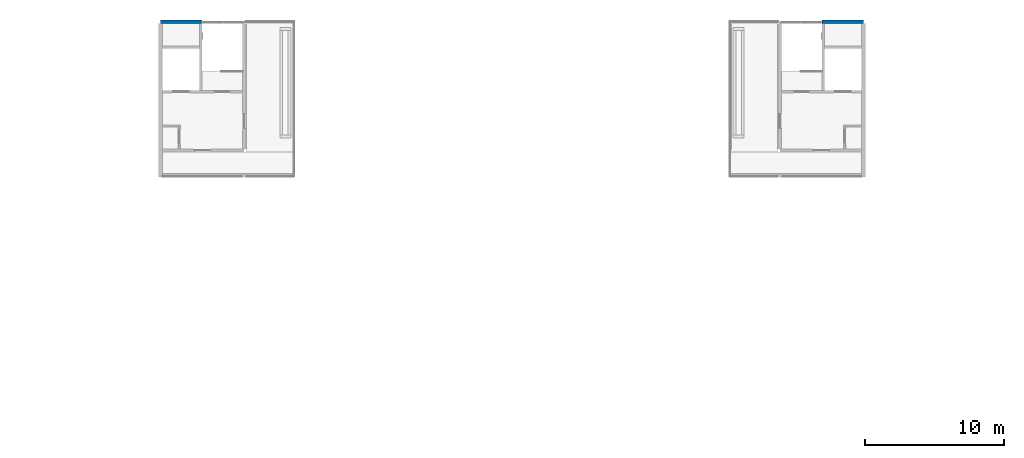
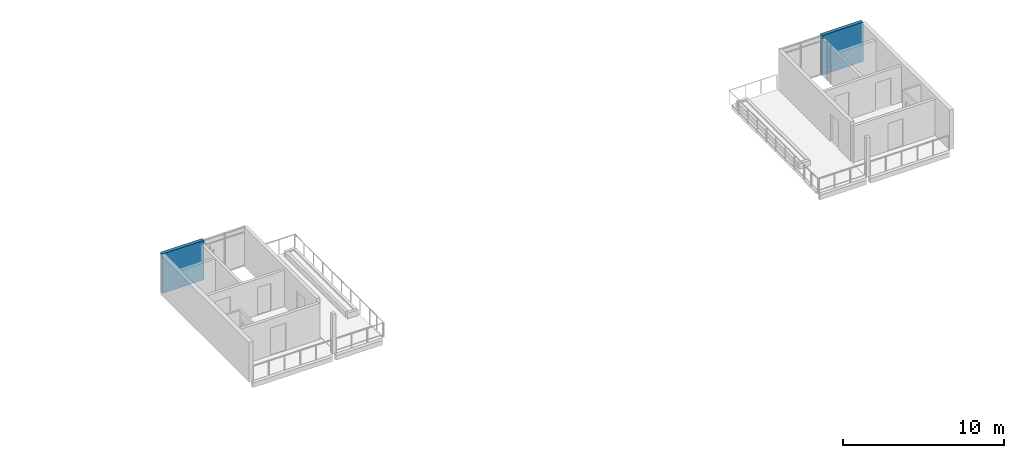
# One storey, part 37 of 55: 2 walls.
"""IFC4 building model written with IfcOpenShell, lengths in metres."""

from ifc_helpers import new_model, si_unit, direction, frame, frame_2d, origin, place, context, subcontext, project, spatial, rectangle, extrude, material, layer, layer_set, type_object, element, save


model = new_model("IFC4")

# Units and contexts
model_context = context("Model", 3, precision=1e-05, world=origin(), true_north=direction((0.0, 1.0)))
body_context = subcontext(model_context, "Body", "Model", "MODEL_VIEW")
ifc_project = project(units=[si_unit("LENGTHUNIT", "METRE"), si_unit("AREAUNIT", "SQUARE_METRE"), si_unit("VOLUMEUNIT", "CUBIC_METRE"), si_unit("PLANEANGLEUNIT", "RADIAN"), si_unit("MASSUNIT", "GRAM", prefix="KILO")], contexts=[model_context])

# Site, building, storey
site_placement = place(None, origin())
site = spatial("IfcSite", under=ifc_project, at=site_placement, CompositionType="ELEMENT")
building_placement = place(site_placement, origin())
building = spatial("IfcBuilding", under=site, at=building_placement, Name="Ridgestep Commons", CompositionType="ELEMENT")
storey_placement = place(building_placement, frame((0.0, 0.0, 36.0)))
storey = spatial("IfcBuildingStorey", under=building, at=storey_placement, Name="L12", CompositionType="ELEMENT", Elevation=36.0)

# Walls
ifc_material = material(Name="Precast concrete C40/50", Category="concrete")
ifc_layer = layer(ifc_material, 0.25)
ifc_layer_set = layer_set([ifc_layer], Name="North facade panel 250")
wall_type = type_object("IfcWallType", Name="North facade panel 250", PredefinedType="SOLIDWALL", material=ifc_layer_set)
for number, where, z_axis, x_axis, name in (
    (1, (180.39990234375, 77.125, 0.0), (0.0, 0.0, 1.0), (1.0, 0.0, 0.0), "North panel C3C L12"),
    (2, (227.824951171875, 77.125, 0.0), (0.0, 0.0, 1.0), (1.0, 0.0, 0.0), "North panel C5C L12"),
):
    element("IfcWall", number, at=place(storey_placement, frame(where, z_axis=z_axis, x_axis=x_axis)), inside=storey, type_object=wall_type, Name=name, PredefinedType="SOLIDWALL", context=body_context, shape_type="SweptSolid", body=[
        extrude(rectangle(XDim=2.97509765625, YDim=0.25, at=frame_2d((1.487548828125, 0.0))), origin(), (0.0, 0.0, 1.0), 3.0),
    ])

save(model, "model.ifc")
